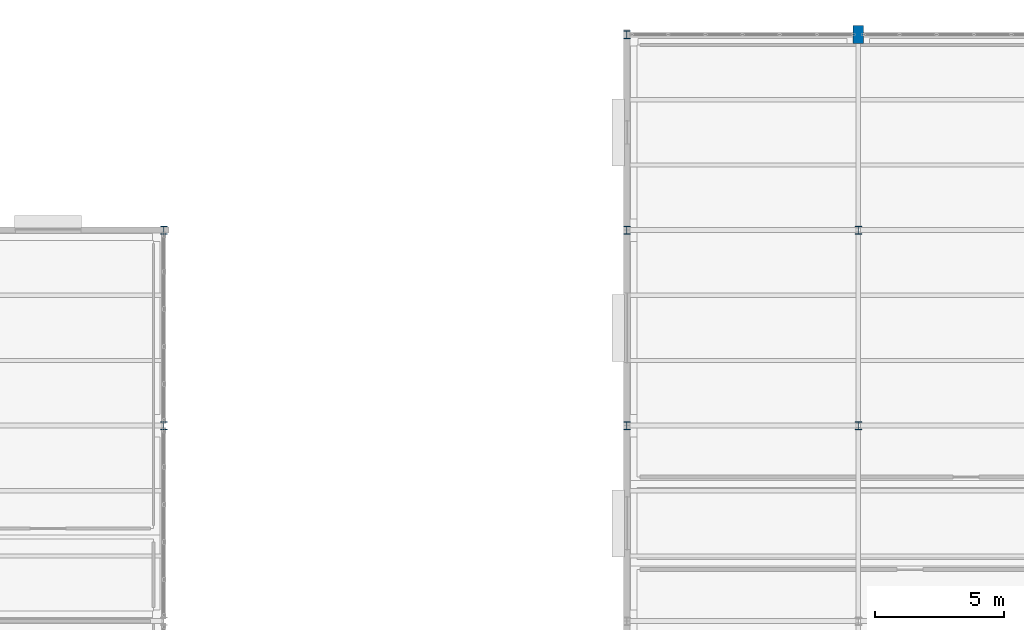
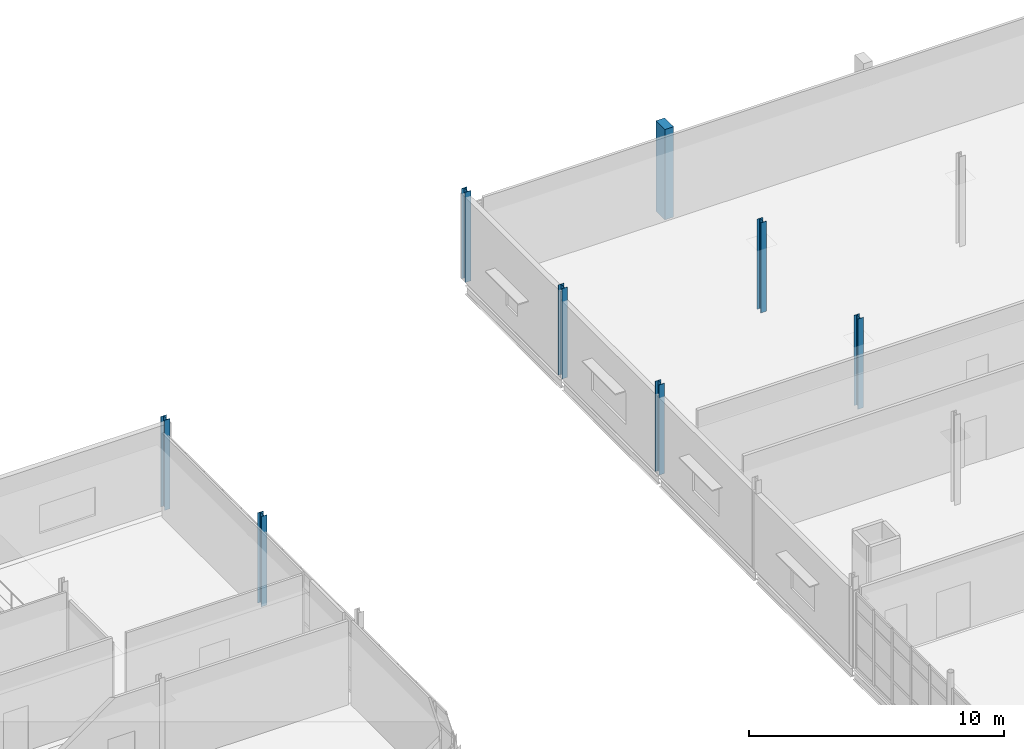
# One storey, part 17 of 174: 8 columns.
"""IFC4 building model written with IfcOpenShell, lengths in metres."""

from ifc_helpers import new_model, si_unit, direction, frame, origin, origin_2d, place, context, subcontext, project, spatial, rectangle, i_section, extrude, material, material_profile, profile_set, type_object, element, save


model = new_model("IFC4")

# Units and contexts
model_context = context("Model", 3, precision=1e-05, world=origin(), true_north=direction((0.0, 1.0)))
body_context = subcontext(model_context, "Body", "Model", "MODEL_VIEW")
ifc_project = project(units=[si_unit("LENGTHUNIT", "METRE"), si_unit("AREAUNIT", "SQUARE_METRE"), si_unit("VOLUMEUNIT", "CUBIC_METRE"), si_unit("PLANEANGLEUNIT", "RADIAN"), si_unit("MASSUNIT", "GRAM", prefix="KILO")], contexts=[model_context])

# Site, building, storey
site_placement = place(None, origin())
site = spatial("IfcSite", under=ifc_project, at=site_placement, CompositionType="ELEMENT")
building_placement = place(site_placement, origin())
building = spatial("IfcBuilding", under=site, at=building_placement, Name="Caisbarro Railhouse Central Library", CompositionType="ELEMENT")
storey_placement = place(building_placement, frame((0.0, 0.0, 5.0400390625)))
storey = spatial("IfcBuildingStorey", under=building, at=storey_placement, Name="L01", CompositionType="ELEMENT", Elevation=5.0400390625)

# Columns
ifc_material_1 = material(Name="Steel ASTM A572 Grade 50", Category="steel")
ifc_material_profile_1 = material_profile(ifc_material_1, i_section(OverallWidth=0.25390625, OverallDepth=0.305908203125, WebThickness=0.0087890625, FlangeThickness=0.0146484375, FilletRadius=0.014892578125, at=origin_2d()), Name="W310X79.0")
ifc_profile_set_1 = profile_set([ifc_material_profile_1], Name="Steel ASTM A572 Grade 50")
column_type_1 = type_object("IfcColumnType", Name="COL-C07", PredefinedType="COLUMN", material=ifc_profile_set_1)
for number, where, z_axis, x_axis, name in (
    (1, (36.0, 98.800048828125, 0.0), (0.0, 0.0, 1.0), (1.0, 0.0, 0.0), "C07 column L01 (36.0,98.8)"),
    (2, (36.0, 106.39990234375, 0.0), (0.0, 0.0, 1.0), (1.0, 0.0, 0.0), "C07 column L01 (36.0,106.4)"),
    (3, (54.0, 98.800048828125, 0.0), (0.0, 0.0, 1.0), (1.0, 0.0, 0.0), "C07 column L01 (54.0,98.8)"),
    (4, (54.0, 106.39990234375, 0.0), (0.0, 0.0, 1.0), (1.0, 0.0, 0.0), "C07 column L01 (54.0,106.4)"),
    (5, (54.0, 114.0, 0.0), (0.0, 0.0, 1.0), (1.0, 0.0, 0.0), "C07 column L01 (54.0,114.0)"),
    (6, (63.0, 98.800048828125, 0.0), (0.0, 0.0, 1.0), (1.0, 0.0, 0.0), "C07 column L01 (63.0,98.8)"),
    (7, (63.0, 106.39990234375, 0.0), (0.0, 0.0, 1.0), (1.0, 0.0, 0.0), "C07 column L01 (63.0,106.4)"),
):
    element("IfcColumn", number, at=place(storey_placement, frame(where, z_axis=z_axis, x_axis=x_axis)), inside=storey, type_object=column_type_1, Name=name, PredefinedType="COLUMN", context=body_context, shape_type="SweptSolid", body=[
        extrude(i_section(OverallWidth=0.25390625, OverallDepth=0.305908203125, WebThickness=0.0087890625, FlangeThickness=0.0146484375, FilletRadius=0.014892578125, at=origin_2d()), origin(), (0.0, 0.0, 1.0), 4.320068359375),
    ])
ifc_material_2 = material(Name="Concrete C40", Category="concrete")
ifc_material_profile_2 = material_profile(ifc_material_2, rectangle(XDim=0.39990234375, YDim=0.699951171875, at=origin_2d()), Name="RC-PIL-400X700")
ifc_profile_set_2 = profile_set([ifc_material_profile_2], Name="Concrete C40")
column_type_2 = type_object("IfcColumnType", Name="PIL-P02", PredefinedType="PILASTER", material=ifc_profile_set_2)
column_placement = place(storey_placement, frame((63.0, 114.0, 0.0), z_axis=(0.0, 0.0, 1.0), x_axis=(1.0, 0.0, 0.0)))
element("IfcColumn", 8, at=column_placement, inside=storey, type_object=column_type_2, Name="PL02 column L01 (63.0,114.0)", PredefinedType="PILASTER", context=body_context, shape_type="SweptSolid", body=[
    extrude(rectangle(XDim=0.39990234375, YDim=0.699951171875, at=origin_2d()), origin(), (0.0, 0.0, 1.0), 4.320068359375),
])

save(model, "model.ifc")
